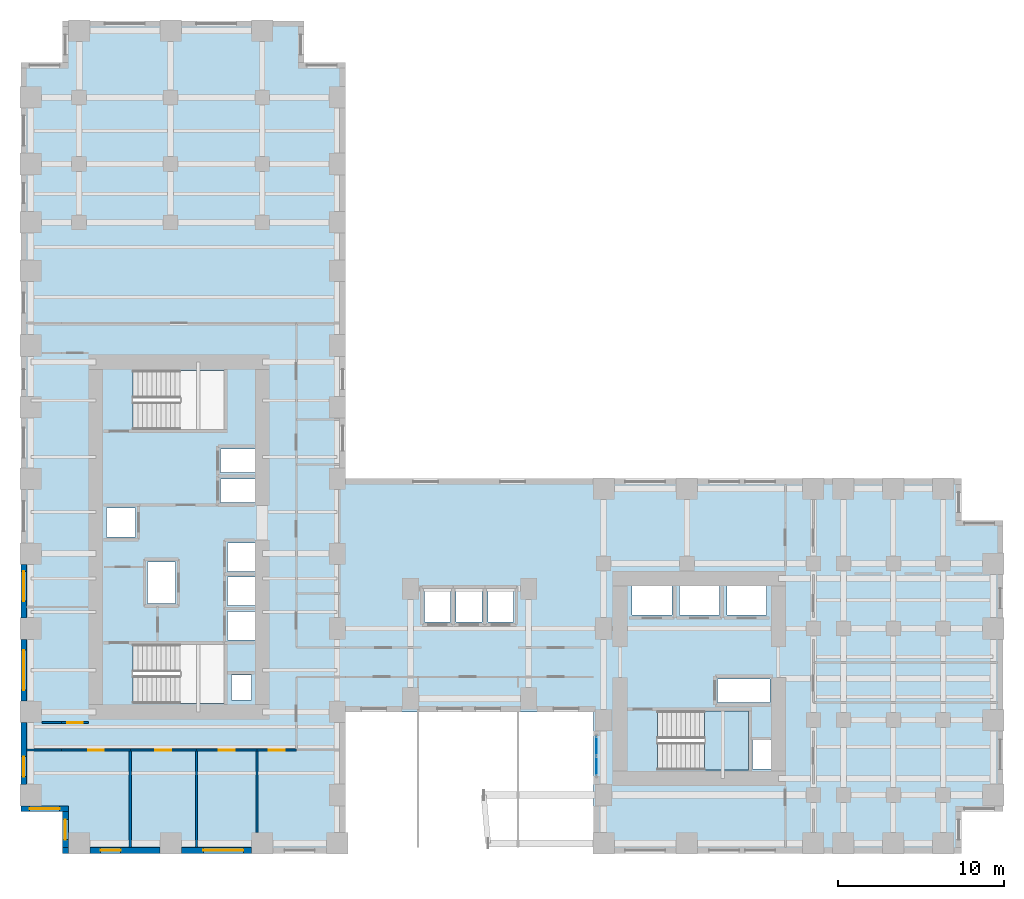
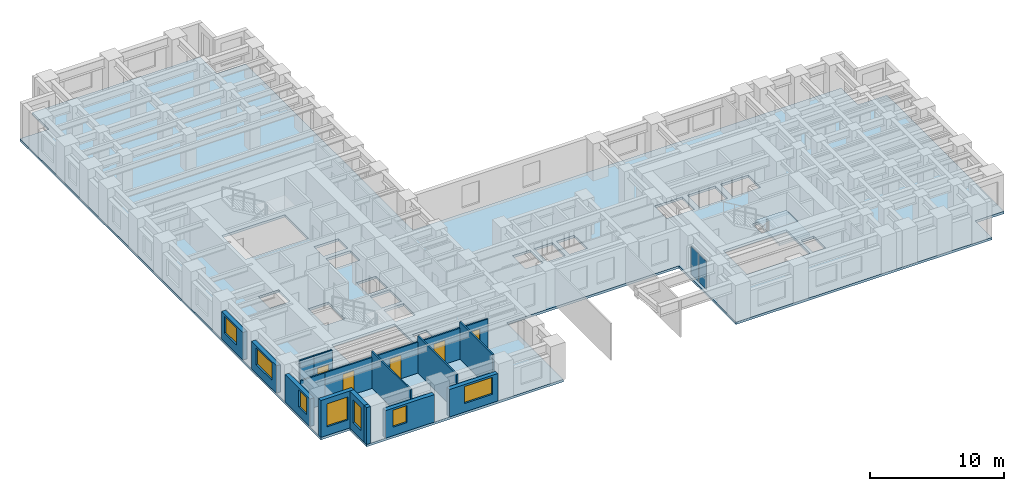
# One storey, part 6 of 14: 18 walls, 7 windows, 5 doors, 2 plates, 2 slabs, 12 openings, 2 elements without a shape of their own.
"""IFC4 building model written with IfcOpenShell, lengths in metres."""

from ifc_helpers import new_model, si_unit, direction, frame, frame_2d, origin, origin_2d, place, context, subcontext, project, spatial, polyline, rectangle, outline, extrude, source, transform, mapped, material, layer, layer_set, type_object, element, fill, aggregate, save


model = new_model("IFC4")

# Units and contexts
model_context = context("Model", 3, precision=1e-05, world=origin(), true_north=direction((0.0, 1.0)))
body_context = subcontext(model_context, "Body", "Model", "MODEL_VIEW")
ifc_project = project(units=[si_unit("LENGTHUNIT", "METRE"), si_unit("AREAUNIT", "SQUARE_METRE"), si_unit("VOLUMEUNIT", "CUBIC_METRE"), si_unit("PLANEANGLEUNIT", "RADIAN"), si_unit("MASSUNIT", "GRAM", prefix="KILO")], contexts=[model_context])

# Site, building, storey
site_placement = place(None, origin())
site = spatial("IfcSite", under=ifc_project, at=site_placement, CompositionType="ELEMENT")
building_placement = place(site_placement, origin())
building = spatial("IfcBuilding", under=site, at=building_placement, Name="Kharzan Plaza Tower", CompositionType="ELEMENT")
storey_placement = place(building_placement, frame((0.0, 0.0, 29.699951171875)))
storey = spatial("IfcBuildingStorey", under=building, at=storey_placement, Name="L07", CompositionType="ELEMENT", Elevation=29.699951171875)

# Slab
ifc_material_1 = material(Name="Concrete C40/50", Category="concrete")
ifc_layer_1 = layer(ifc_material_1, 0.219970703125)
ifc_layer_set_1 = layer_set([ifc_layer_1], Name="Concrete C40/50")
slab_type_1 = type_object("IfcSlabType", Name="SL-FLOOR-220", PredefinedType="FLOOR", material=ifc_layer_set_1)
slab_1_placement = place(storey_placement, frame((0.0, 0.0, -0.219970703125)))
element("IfcSlab", 1, at=slab_1_placement, inside=storey, type_object=slab_type_1, Name="L07 Composite Structural Floor Slab 220 mm", PredefinedType="FLOOR", context=body_context, shape_type="SweptSolid", body=[
    extrude(outline(polyline([(34.39990234375, 22.5), (19.5, 22.5), (19.5, 47.5), (17.0, 47.5), (17.0, 50.0), (2.5, 50.0), (2.5, 47.5), (0.0, 47.5), (0.0, 2.5), (2.5, 2.5), (2.5, 0.0), (19.5, 0.0), (19.5, 8.5), (34.39990234375, 8.5), (34.39990234375, 0.0), (56.5, 0.0), (56.5, 2.5), (59.0, 2.5), (59.0, 20.0), (56.5, 20.0), (56.5, 22.5), (34.39990234375, 22.5)]), holes=[polyline([(13.85009765625, 9.199951171875), (13.85009765625, 10.699951171875), (12.64990234375, 10.699951171875), (12.64990234375, 9.199951171875), (13.85009765625, 9.199951171875)]), polyline([(12.199951171875, 9.0), (12.199951171875, 12.550048828125), (6.75, 12.550048828125), (6.75, 9.0), (12.199951171875, 9.0)]), polyline([(14.10009765625, 12.800048828125), (14.10009765625, 14.530029296875), (12.39990234375, 14.530029296875), (12.39990234375, 12.800048828125), (14.10009765625, 12.800048828125)]), polyline([(14.10009765625, 14.8701171875), (14.10009765625, 16.60009765625), (12.39990234375, 16.60009765625), (12.39990234375, 14.8701171875), (14.10009765625, 14.8701171875)]), polyline([(9.300048828125, 15.0), (9.300048828125, 17.5), (7.60009765625, 17.5), (7.60009765625, 15.0), (9.300048828125, 15.0)]), polyline([(14.10009765625, 16.93994140625), (14.10009765625, 18.64990234375), (12.39990234375, 18.64990234375), (12.39990234375, 16.93994140625), (14.10009765625, 16.93994140625)]), polyline([(6.89990234375, 19.010009765625), (6.89990234375, 20.72998046875), (5.14990234375, 20.72998046875), (5.14990234375, 19.010009765625), (6.89990234375, 19.010009765625)]), polyline([(12.0, 21.070068359375), (14.10009765625, 21.070068359375), (14.10009765625, 22.489990234375), (12.0, 22.489990234375), (12.0, 21.070068359375)]), polyline([(12.0, 22.8701171875), (14.10009765625, 22.8701171875), (14.10009765625, 24.2900390625), (12.0, 24.2900390625), (12.0, 22.8701171875)]), polyline([(12.199951171875, 25.449951171875), (12.199951171875, 29.0), (6.75, 29.0), (6.75, 25.449951171875), (12.199951171875, 25.449951171875)]), polyline([(45.050048828125, 5.050048828125), (45.050048828125, 6.800048828125), (43.949951171875, 6.800048828125), (43.949951171875, 5.050048828125), (45.050048828125, 5.050048828125)]), polyline([(43.699951171875, 5.0), (43.699951171875, 8.550048828125), (38.25, 8.550048828125), (38.25, 5.0), (43.699951171875, 5.0)]), polyline([(41.85009765625, 9.070068359375), (45.0, 9.070068359375), (45.0, 10.469970703125), (41.85009765625, 10.469970703125), (41.85009765625, 9.070068359375)]), polyline([(24.25, 13.89990234375), (25.800048828125, 13.89990234375), (25.800048828125, 15.85009765625), (24.25, 15.85009765625), (24.25, 13.89990234375)]), polyline([(27.699951171875, 13.89990234375), (27.699951171875, 15.85009765625), (26.14990234375, 15.85009765625), (26.14990234375, 13.89990234375), (27.699951171875, 13.89990234375)]), polyline([(29.60009765625, 13.89990234375), (29.60009765625, 15.85009765625), (28.050048828125, 15.85009765625), (28.050048828125, 13.89990234375), (29.60009765625, 13.89990234375)]), polyline([(39.10009765625, 14.300048828125), (39.10009765625, 16.14990234375), (36.699951171875, 16.14990234375), (36.699951171875, 14.300048828125), (39.10009765625, 14.300048828125)]), polyline([(39.550048828125, 14.300048828125), (41.949951171875, 14.300048828125), (41.949951171875, 16.14990234375), (39.550048828125, 16.14990234375), (39.550048828125, 14.300048828125)]), polyline([(42.39990234375, 14.300048828125), (44.800048828125, 14.300048828125), (44.800048828125, 16.14990234375), (42.39990234375, 16.14990234375), (42.39990234375, 14.300048828125)])]), origin(), (0.0, 0.0, 1.0), 0.219970703125),
])

# Stair, slab
stair_type = type_object("IfcStairType", Name="STR-ST-3", PredefinedType="HALF_TURN_STAIR", material=ifc_material_1)
stair_placement = place(storey_placement, origin())
stair = element("IfcStair", 2, at=stair_placement, inside=storey, type_object=stair_type, Name="L07 Protected Exit Stair ST-3", PredefinedType="HALF_TURN_STAIR")
ifc_layer_2 = layer(ifc_material_1, 0.219970703125)
ifc_layer_set_2 = layer_set([ifc_layer_2], Name="Concrete C40/50")
slab_type_2 = type_object("IfcSlabType", Name="SL-LANDING-220", PredefinedType="LANDING", material=ifc_layer_set_2)
slab_2_placement = place(storey_placement, frame((0.0, 0.0, 1.60009765625)))
slab_2 = element("IfcSlab", 3, at=slab_2_placement, type_object=slab_type_2, Name="ST-3 landing 1", PredefinedType="LANDING", context=body_context, shape_type="SweptSolid", body=[
    extrude(outline(polyline([(41.050048828125, 5.0), (43.699951171875, 5.0), (43.699951171875, 8.550048828125), (41.050048828125, 8.550048828125), (41.050048828125, 5.0)])), origin(), (0.0, 0.0, 1.0), 0.199951171875),
])
aggregate(stair, [slab_2])

# Curtain wall, plates
ifc_material_2 = material(Name="Unitised Bronze-Anodized Aluminium and Low-E Glass", Category="aluminium")
ifc_layer_3 = layer(ifc_material_2, 0.199951171875)
ifc_layer_set_3 = layer_set([ifc_layer_3], Name="Unitised Bronze-Anodized Aluminium and Low-E Glass")
curtain_wall_type = type_object("IfcCurtainWallType", Name="CW-SLOT-3", PredefinedType="NOTDEFINED", material=ifc_layer_set_3)
curtain_wall_placement = place(storey_placement, origin())
curtain_wall = element("IfcCurtainWall", 4, at=curtain_wall_placement, inside=storey, type_object=curtain_wall_type, Name="L07 East Slot Recessed Spine Curtain Wall", PredefinedType="NOTDEFINED")
ifc_material_3 = material(Name="Dark Solar-Control Double Glazing", Category="glass")
ifc_layer_4 = layer(ifc_material_3, 0.031982421875)
ifc_layer_set_4 = layer_set([ifc_layer_4], Name="Dark Solar-Control Double Glazing")
plate_type = type_object("IfcPlateType", Name="PLT-CW-GLASS", PredefinedType="CURTAIN_PANEL", material=ifc_layer_set_4)
shared_shape_1 = source(origin(), body_context, "Body", "SweptSolid", [
    extrude(rectangle(XDim=1.080078125, YDim=0.031982421875, at=origin_2d()), origin(), (0.0, 0.0, 1.0), 2.5400390625),
])
plate_1_placement = place(storey_placement, frame((34.580078125, 5.25, 0.080078125), z_axis=(0.0, 0.0, 1.0), x_axis=(0.0, 1.0, 0.0)))
plate_1 = element("IfcPlate", 5, at=plate_1_placement, type_object=plate_type, Name="L07 Curtain-Wall Glazed Panel 00", PredefinedType="CURTAIN_PANEL", context=body_context, shape_type="MappedRepresentation", body=[
    mapped(shared_shape_1, transform((0.0, 0.0, 0.0), x_axis=(1.0, 0.0, 0.0), y_axis=(0.0, 1.0, 0.0), z_axis=(0.0, 0.0, 1.0))),
])
plate_2_placement = place(storey_placement, frame((34.580078125, 6.449951171875, 0.080078125), z_axis=(0.0, 0.0, 1.0), x_axis=(0.0, 1.0, 0.0)))
plate_2 = element("IfcPlate", 6, at=plate_2_placement, type_object=plate_type, Name="L07 Curtain-Wall Glazed Panel 01", PredefinedType="CURTAIN_PANEL", context=body_context, shape_type="MappedRepresentation", body=[
    mapped(shared_shape_1, transform((0.0, 0.0, 0.0), x_axis=(1.0, 0.0, 0.0), y_axis=(0.0, 1.0, 0.0), z_axis=(0.0, 0.0, 1.0))),
])
aggregate(curtain_wall, [plate_1, plate_2])

# Wall, opening, window
ifc_layer_5 = layer(ifc_material_1, 0.35009765625)
ifc_layer_set_5 = layer_set([ifc_layer_5], Name="Concrete C40/50")
wall_type_1 = type_object("IfcWallType", Name="WL-EXT-MAS-Z1", PredefinedType="SOLIDWALL", material=ifc_layer_set_5)
wall_1_placement = place(storey_placement, frame((0.175048828125, 17.35205078125, 0.0), z_axis=(0.0, 0.0, 1.0), x_axis=(0.0, -1.0, 0.0)))
wall_1 = element("IfcWall", 7, at=wall_1_placement, inside=storey, type_object=wall_type_1, Name="L07 Masonry-Frame Exterior Wall 17", PredefinedType="SOLIDWALL", context=body_context, shape_type="SweptSolid", body=[
    extrude(rectangle(XDim=3.2041015625, YDim=0.35009765625, at=frame_2d((1.60205078125, 0.0))), origin(), (0.0, 0.0, 1.0), 2.510009765625),
])
opening_1_placement = place(wall_1_placement, frame((0.410888671875, 0.0, 0.780029296875)))
opening_1 = element("IfcOpeningElement", 8, at=opening_1_placement, cuts=wall_1, Name="Opening W1", PredefinedType="OPENING", context=body_context, shape_type="SweptSolid", body=[
    extrude(rectangle(XDim=1.800048828125, YDim=1.550048828125, at=frame_2d((0.89990234375, 0.77490234375))), frame((0.0, 0.18505859375, 0.0), z_axis=(0.0, -1.0, 0.0), x_axis=(1.0, 0.0, 0.0)), (0.0, 0.0, 1.0), 0.3701171875),
])
ifc_material_4 = material(Name="Low-E Double Glazing", Category="glass")
window_type_1 = type_object("IfcWindowType", Name="WN-REC-1800x2100", PartitioningType="SINGLE_PANEL", PredefinedType="WINDOW", material=ifc_material_4)
shared_shape_2 = source(origin(), body_context, "Body", "SweptSolid", [
    extrude(rectangle(XDim=1.800048828125, YDim=1.550048828125, at=frame_2d((0.89990234375, 0.77490234375))), frame((0.0, 0.030029296875, 0.0), z_axis=(0.0, -1.0, 0.0), x_axis=(1.0, 0.0, 0.0)), (0.0, 0.0, 1.0), 0.06005859375),
])
window_1_placement = place(opening_1_placement, origin())
window_1 = element("IfcWindow", 9, at=window_1_placement, inside=storey, type_object=window_type_1, Name="L07 Recessed Solar-Control Window 17-1", OverallHeight=1.550048828125, OverallWidth=1.800048828125, PartitioningType="SINGLE_PANEL", PredefinedType="WINDOW", context=body_context, shape_type="MappedRepresentation", body=[
    mapped(shared_shape_2, transform((0.0, 0.0, 0.0), x_axis=(1.0, 0.0, 0.0), y_axis=(0.0, 1.0, 0.0), z_axis=(0.0, 0.0, 1.0))),
])
fill(opening_1, window_1)

wall_2_placement = place(storey_placement, frame((0.175048828125, 12.85205078125, 0.0), z_axis=(0.0, 0.0, 1.0), x_axis=(0.0, -1.0, 0.0)))
wall_2 = element("IfcWall", 10, at=wall_2_placement, inside=storey, type_object=wall_type_1, Name="L07 Masonry-Frame Exterior Wall 18", PredefinedType="SOLIDWALL", context=body_context, shape_type="SweptSolid", body=[
    extrude(rectangle(XDim=3.7041015625, YDim=0.35009765625, at=frame_2d((1.85205078125, 0.0))), origin(), (0.0, 0.0, 1.0), 2.510009765625),
])
opening_2_placement = place(wall_2_placement, frame((0.652099609375, 0.0, 0.780029296875)))
opening_2 = element("IfcOpeningElement", 11, at=opening_2_placement, cuts=wall_2, Name="Opening W2", PredefinedType="OPENING", context=body_context, shape_type="SweptSolid", body=[
    extrude(rectangle(XDim=2.39990234375, YDim=1.550048828125, at=frame_2d((1.199951171875, 0.77490234375))), frame((0.0, 0.18505859375, 0.0), z_axis=(0.0, -1.0, 0.0), x_axis=(1.0, 0.0, 0.0)), (0.0, 0.0, 1.0), 0.3701171875),
])
window_type_2 = type_object("IfcWindowType", Name="WN-REC-2400x2100", PartitioningType="SINGLE_PANEL", PredefinedType="WINDOW", material=ifc_material_4)
shared_shape_3 = source(origin(), body_context, "Body", "SweptSolid", [
    extrude(rectangle(XDim=2.39990234375, YDim=1.550048828125, at=frame_2d((1.199951171875, 0.77490234375))), frame((0.0, 0.030029296875, 0.0), z_axis=(0.0, -1.0, 0.0), x_axis=(1.0, 0.0, 0.0)), (0.0, 0.0, 1.0), 0.06005859375),
])
window_2_placement = place(opening_2_placement, origin())
window_2 = element("IfcWindow", 12, at=window_2_placement, inside=storey, type_object=window_type_2, Name="L07 Wide Recessed Solar-Control Window 18-1", OverallHeight=1.550048828125, OverallWidth=2.39990234375, PartitioningType="SINGLE_PANEL", PredefinedType="WINDOW", context=body_context, shape_type="MappedRepresentation", body=[
    mapped(shared_shape_3, transform((0.0, 0.0, 0.0), x_axis=(1.0, 0.0, 0.0), y_axis=(0.0, 1.0, 0.0), z_axis=(0.0, 0.0, 1.0))),
])
fill(opening_2, window_2)

wall_3_placement = place(storey_placement, frame((0.175048828125, 7.85205078125, 0.0), z_axis=(0.0, 0.0, 1.0), x_axis=(0.0, -1.0, 0.0)))
wall_3 = element("IfcWall", 13, at=wall_3_placement, inside=storey, type_object=wall_type_1, Name="L07 Masonry-Frame Exterior Wall 19", PredefinedType="SOLIDWALL", context=body_context, shape_type="SweptSolid", body=[
    extrude(rectangle(XDim=3.7041015625, YDim=0.35009765625, at=frame_2d((1.85205078125, 0.0))), origin(), (0.0, 0.0, 1.0), 2.510009765625),
])
opening_3_placement = place(wall_3_placement, frame((2.04296875, 0.0, 0.780029296875)))
opening_3 = element("IfcOpeningElement", 14, at=opening_3_placement, cuts=wall_3, Name="Opening W3", PredefinedType="OPENING", context=body_context, shape_type="SweptSolid", body=[
    extrude(rectangle(XDim=1.199951171875, YDim=1.550048828125, at=frame_2d((0.60009765625, 0.77490234375))), frame((0.0, 0.18505859375, 0.0), z_axis=(0.0, -1.0, 0.0), x_axis=(1.0, 0.0, 0.0)), (0.0, 0.0, 1.0), 0.3701171875),
])
window_type_3 = type_object("IfcWindowType", Name="WN-REC-1200x2100", PartitioningType="SINGLE_PANEL", PredefinedType="WINDOW", material=ifc_material_4)
shared_shape_4 = source(origin(), body_context, "Body", "SweptSolid", [
    extrude(rectangle(XDim=1.199951171875, YDim=1.550048828125, at=frame_2d((0.60009765625, 0.77490234375))), frame((0.0, 0.030029296875, 0.0), z_axis=(0.0, -1.0, 0.0), x_axis=(1.0, 0.0, 0.0)), (0.0, 0.0, 1.0), 0.06005859375),
])
window_3_placement = place(opening_3_placement, origin())
window_3 = element("IfcWindow", 15, at=window_3_placement, inside=storey, type_object=window_type_3, Name="L07 Recessed Solar-Control Window 19-1", OverallHeight=1.550048828125, OverallWidth=1.199951171875, PartitioningType="SINGLE_PANEL", PredefinedType="WINDOW", context=body_context, shape_type="MappedRepresentation", body=[
    mapped(shared_shape_4, transform((0.0, 0.0, 0.0), x_axis=(1.0, 0.0, 0.0), y_axis=(0.0, 1.0, 0.0), z_axis=(0.0, 0.0, 1.0))),
])
fill(opening_3, window_3)

wall_4_placement = place(storey_placement, frame((0.0, 2.675048828125, 0.0), z_axis=(0.0, 0.0, 1.0), x_axis=(1.0, 0.0, 0.0)))
wall_4 = element("IfcWall", 16, at=wall_4_placement, inside=storey, type_object=wall_type_1, Name="L07 Masonry-Frame Exterior Wall 20", PredefinedType="SOLIDWALL", context=body_context, shape_type="SweptSolid", body=[
    extrude(rectangle(XDim=2.85009765625, YDim=0.35009765625, at=frame_2d((1.425048828125, 0.0))), origin(), (0.0, 0.0, 1.0), 3.364990234375),
])
opening_4_placement = place(wall_4_placement, frame((0.52490234375, 0.0, 0.780029296875)))
opening_4 = element("IfcOpeningElement", 17, at=opening_4_placement, cuts=wall_4, Name="Opening W1", PredefinedType="OPENING", context=body_context, shape_type="SweptSolid", body=[
    extrude(rectangle(XDim=1.800048828125, YDim=2.10009765625, at=frame_2d((0.89990234375, 1.050048828125))), frame((0.0, 0.18505859375, 0.0), z_axis=(0.0, -1.0, 0.0), x_axis=(1.0, 0.0, 0.0)), (0.0, 0.0, 1.0), 0.3701171875),
])
shared_shape_5 = source(origin(), body_context, "Body", "SweptSolid", [
    extrude(rectangle(XDim=1.800048828125, YDim=2.10009765625, at=frame_2d((0.89990234375, 1.050048828125))), frame((0.0, 0.030029296875, 0.0), z_axis=(0.0, -1.0, 0.0), x_axis=(1.0, 0.0, 0.0)), (0.0, 0.0, 1.0), 0.06005859375),
])
window_4_placement = place(opening_4_placement, origin())
window_4 = element("IfcWindow", 18, at=window_4_placement, inside=storey, type_object=window_type_1, Name="L07 Recessed Solar-Control Window 20-1", OverallHeight=2.10009765625, OverallWidth=1.800048828125, PartitioningType="SINGLE_PANEL", PredefinedType="WINDOW", context=body_context, shape_type="MappedRepresentation", body=[
    mapped(shared_shape_5, transform((0.0, 0.0, 0.0), x_axis=(1.0, 0.0, 0.0), y_axis=(0.0, 1.0, 0.0), z_axis=(0.0, 0.0, 1.0))),
])
fill(opening_4, window_4)

wall_5_placement = place(storey_placement, frame((2.675048828125, 2.501953125, 0.0), z_axis=(0.0, 0.0, 1.0), x_axis=(0.0, -1.0, 0.0)))
wall_5 = element("IfcWall", 19, at=wall_5_placement, inside=storey, type_object=wall_type_1, Name="L07 Masonry-Frame Exterior Wall 21", PredefinedType="SOLIDWALL", context=body_context, shape_type="SweptSolid", body=[
    extrude(rectangle(XDim=2.154052734375, YDim=0.35009765625, at=frame_2d((1.0771484375, 0.0))), origin(), (0.0, 0.0, 1.0), 3.364990234375),
])
opening_5_placement = place(wall_5_placement, frame((0.47705078125, 0.0, 0.780029296875)))
opening_5 = element("IfcOpeningElement", 20, at=opening_5_placement, cuts=wall_5, Name="Opening W3", PredefinedType="OPENING", context=body_context, shape_type="SweptSolid", body=[
    extrude(rectangle(XDim=1.199951171875, YDim=2.10009765625, at=frame_2d((0.60009765625, 1.050048828125))), frame((0.0, 0.18505859375, 0.0), z_axis=(0.0, -1.0, 0.0), x_axis=(1.0, 0.0, 0.0)), (0.0, 0.0, 1.0), 0.3701171875),
])
shared_shape_6 = source(origin(), body_context, "Body", "SweptSolid", [
    extrude(rectangle(XDim=1.199951171875, YDim=2.10009765625, at=frame_2d((0.60009765625, 1.050048828125))), frame((0.0, 0.030029296875, 0.0), z_axis=(0.0, -1.0, 0.0), x_axis=(1.0, 0.0, 0.0)), (0.0, 0.0, 1.0), 0.06005859375),
])
window_5_placement = place(opening_5_placement, origin())
window_5 = element("IfcWindow", 21, at=window_5_placement, inside=storey, type_object=window_type_3, Name="L07 Recessed Solar-Control Window 21-1", OverallHeight=2.10009765625, OverallWidth=1.199951171875, PartitioningType="SINGLE_PANEL", PredefinedType="WINDOW", context=body_context, shape_type="MappedRepresentation", body=[
    mapped(shared_shape_6, transform((0.0, 0.0, 0.0), x_axis=(1.0, 0.0, 0.0), y_axis=(0.0, 1.0, 0.0), z_axis=(0.0, 0.0, 1.0))),
])
fill(opening_5, window_5)

wall_6_placement = place(storey_placement, frame((4.14794921875, 0.175048828125, 0.0), z_axis=(0.0, 0.0, 1.0), x_axis=(1.0, 0.0, 0.0)))
wall_6 = element("IfcWall", 22, at=wall_6_placement, inside=storey, type_object=wall_type_1, Name="L07 Masonry-Frame Exterior Wall 23", PredefinedType="SOLIDWALL", context=body_context, shape_type="SweptSolid", body=[
    extrude(rectangle(XDim=4.2041015625, YDim=0.35009765625, at=frame_2d((2.10205078125, 0.0))), origin(), (0.0, 0.0, 1.0), 2.510009765625),
])
opening_6_placement = place(wall_6_placement, frame((0.64697265625, 0.0, 0.780029296875)))
opening_6 = element("IfcOpeningElement", 23, at=opening_6_placement, cuts=wall_6, Name="Opening W3", PredefinedType="OPENING", context=body_context, shape_type="SweptSolid", body=[
    extrude(rectangle(XDim=1.199951171875, YDim=1.550048828125, at=frame_2d((0.60009765625, 0.77490234375))), frame((0.0, 0.18505859375, 0.0), z_axis=(0.0, -1.0, 0.0), x_axis=(1.0, 0.0, 0.0)), (0.0, 0.0, 1.0), 0.3701171875),
])
window_6_placement = place(opening_6_placement, origin())
window_6 = element("IfcWindow", 24, at=window_6_placement, inside=storey, type_object=window_type_3, Name="L07 Recessed Solar-Control Window 23-1", OverallHeight=1.550048828125, OverallWidth=1.199951171875, PartitioningType="SINGLE_PANEL", PredefinedType="WINDOW", context=body_context, shape_type="MappedRepresentation", body=[
    mapped(shared_shape_4, transform((0.0, 0.0, 0.0), x_axis=(1.0, 0.0, 0.0), y_axis=(0.0, 1.0, 0.0), z_axis=(0.0, 0.0, 1.0))),
])
fill(opening_6, window_6)

wall_7_placement = place(storey_placement, frame((9.64794921875, 0.175048828125, 0.0), z_axis=(0.0, 0.0, 1.0), x_axis=(1.0, 0.0, 0.0)))
wall_7 = element("IfcWall", 25, at=wall_7_placement, inside=storey, type_object=wall_type_1, Name="L07 Masonry-Frame Exterior Wall 24", PredefinedType="SOLIDWALL", context=body_context, shape_type="SweptSolid", body=[
    extrude(rectangle(XDim=4.2041015625, YDim=0.35009765625, at=frame_2d((2.10205078125, 0.0))), origin(), (0.0, 0.0, 1.0), 2.510009765625),
])
opening_7_placement = place(wall_7_placement, frame((1.31494140625, 0.0, 0.780029296875)))
opening_7 = element("IfcOpeningElement", 26, at=opening_7_placement, cuts=wall_7, Name="Opening W2", PredefinedType="OPENING", context=body_context, shape_type="SweptSolid", body=[
    extrude(rectangle(XDim=2.39990234375, YDim=1.550048828125, at=frame_2d((1.199951171875, 0.77490234375))), frame((0.0, 0.18505859375, 0.0), z_axis=(0.0, -1.0, 0.0), x_axis=(1.0, 0.0, 0.0)), (0.0, 0.0, 1.0), 0.3701171875),
])
window_7_placement = place(opening_7_placement, origin())
window_7 = element("IfcWindow", 27, at=window_7_placement, inside=storey, type_object=window_type_2, Name="L07 Wide Recessed Solar-Control Window 24-1", OverallHeight=1.550048828125, OverallWidth=2.39990234375, PartitioningType="SINGLE_PANEL", PredefinedType="WINDOW", context=body_context, shape_type="MappedRepresentation", body=[
    mapped(shared_shape_3, transform((0.0, 0.0, 0.0), x_axis=(1.0, 0.0, 0.0), y_axis=(0.0, 1.0, 0.0), z_axis=(0.0, 0.0, 1.0))),
])
fill(opening_7, window_7)

# Wall, opening, door
ifc_material_5 = material(Name="Fire-Rated Gypsum Board Partition", Category="gypsum")
ifc_layer_6 = layer(ifc_material_5, 0.125)
ifc_layer_set_6 = layer_set([ifc_layer_6], Name="Fire-Rated Gypsum Board Partition")
wall_type_2 = type_object("IfcWallType", Name="WL-INT-PART-125", PredefinedType="PARTITIONING", material=ifc_layer_set_6)
wall_8_placement = place(storey_placement, frame((2.449951171875, 7.85009765625, 0.0), z_axis=(0.0, 0.0, 1.0), x_axis=(1.0, 0.0, 0.0)))
wall_8 = element("IfcWall", 28, at=wall_8_placement, inside=storey, type_object=wall_type_2, Name="L07 Interior Partition SH-RWSD", PredefinedType="PARTITIONING", context=body_context, shape_type="SweptSolid", body=[
    extrude(rectangle(XDim=1.60009765625, YDim=0.125, at=frame_2d((0.800048828125, 0.0))), origin(), (0.0, 0.0, 1.0), 3.364990234375),
])
opening_8_placement = place(wall_8_placement, frame((0.324951171875, 0.0, 0.0)))
opening_8 = element("IfcOpeningElement", 29, at=opening_8_placement, cuts=wall_8, Name="Opening OD1", PredefinedType="OPENING", context=body_context, shape_type="SweptSolid", body=[
    extrude(rectangle(XDim=0.949951171875, YDim=2.14990234375, at=frame_2d((0.47509765625, 1.074951171875))), frame((0.0, 0.072509765625, 0.0), z_axis=(0.0, -1.0, 0.0), x_axis=(1.0, 0.0, 0.0)), (0.0, 0.0, 1.0), 0.14501953125),
])
ifc_material_6 = material(Name="Acoustic Solid-Core Stained Oak", Category="timber")
door_type = type_object("IfcDoorType", Name="DR-OFF-SINGLE", OperationType="NOTDEFINED", PredefinedType="DOOR", material=ifc_material_6)
shared_shape_7 = source(origin(), body_context, "Body", "SweptSolid", [
    extrude(rectangle(XDim=0.949951171875, YDim=2.14990234375, at=frame_2d((0.47509765625, 1.074951171875))), frame((0.0, 0.02490234375, 0.0), z_axis=(0.0, -1.0, 0.0), x_axis=(1.0, 0.0, 0.0)), (0.0, 0.0, 1.0), 0.050048828125),
])
door_1_placement = place(opening_8_placement, origin())
door_1 = element("IfcDoor", 30, at=door_1_placement, inside=storey, type_object=door_type, Name="L07 West Office 1 Door", OperationType="SINGLE_SWING_LEFT", OverallHeight=2.14990234375, OverallWidth=0.949951171875, PredefinedType="DOOR", context=body_context, shape_type="MappedRepresentation", body=[
    mapped(shared_shape_7, transform((0.0, 0.0, 0.0), x_axis=(1.0, 0.0, 0.0), y_axis=(0.0, 1.0, 0.0), z_axis=(0.0, 0.0, 1.0))),
])
fill(opening_8, door_1)

wall_9_placement = place(storey_placement, frame((2.449951171875, 6.199951171875, 0.0), z_axis=(0.0, 0.0, 1.0), x_axis=(1.0, 0.0, 0.0)))
wall_9 = element("IfcWall", 31, at=wall_9_placement, inside=storey, type_object=wall_type_2, Name="L07 Interior Partition SH-SS-1", PredefinedType="PARTITIONING", context=body_context, shape_type="SweptSolid", body=[
    extrude(rectangle(XDim=4.1220703125, YDim=0.125, at=frame_2d((2.06103515625, 0.0))), origin(), (0.0, 0.0, 1.0), 2.828125),
])
opening_9_placement = place(wall_9_placement, frame((1.5859375, 0.0, 0.0)))
opening_9 = element("IfcOpeningElement", 32, at=opening_9_placement, cuts=wall_9, Name="Opening OD1", PredefinedType="OPENING", context=body_context, shape_type="SweptSolid", body=[
    extrude(rectangle(XDim=0.949951171875, YDim=2.14990234375, at=frame_2d((0.47509765625, 1.074951171875))), frame((0.0, 0.072509765625, 0.0), z_axis=(0.0, -1.0, 0.0), x_axis=(1.0, 0.0, 0.0)), (0.0, 0.0, 1.0), 0.14501953125),
])
door_2_placement = place(opening_9_placement, origin())
door_2 = element("IfcDoor", 33, at=door_2_placement, inside=storey, type_object=door_type, Name="L07 Executive Tea Pantry Door", OperationType="SINGLE_SWING_LEFT", OverallHeight=2.14990234375, OverallWidth=0.949951171875, PredefinedType="DOOR", context=body_context, shape_type="MappedRepresentation", body=[
    mapped(shared_shape_7, transform((0.0, 0.0, 0.0), x_axis=(1.0, 0.0, 0.0), y_axis=(0.0, 1.0, 0.0), z_axis=(0.0, 0.0, 1.0))),
])
fill(opening_9, door_2)

wall_10_placement = place(storey_placement, frame((6.572021484375, 6.199951171875, 0.0), z_axis=(0.0, 0.0, 1.0), x_axis=(1.0, 0.0, 0.0)))
wall_10 = element("IfcWall", 34, at=wall_10_placement, inside=storey, type_object=wall_type_2, Name="L07 Interior Partition SH-SS-2", PredefinedType="PARTITIONING", context=body_context, shape_type="SweptSolid", body=[
    extrude(rectangle(XDim=3.971923828125, YDim=0.125, at=frame_2d((1.98583984375, 0.0))), origin(), (0.0, 0.0, 1.0), 2.828125),
])
opening_10_placement = place(wall_10_placement, frame((1.510986328125, 0.0, 0.0)))
opening_10 = element("IfcOpeningElement", 35, at=opening_10_placement, cuts=wall_10, Name="Opening OD1", PredefinedType="OPENING", context=body_context, shape_type="SweptSolid", body=[
    extrude(rectangle(XDim=0.949951171875, YDim=2.14990234375, at=frame_2d((0.47509765625, 1.074951171875))), frame((0.0, 0.072509765625, 0.0), z_axis=(0.0, -1.0, 0.0), x_axis=(1.0, 0.0, 0.0)), (0.0, 0.0, 1.0), 0.14501953125),
])
door_3_placement = place(opening_10_placement, origin())
door_3 = element("IfcDoor", 36, at=door_3_placement, inside=storey, type_object=door_type, Name="L07 Executive Tea Pantry Door", OperationType="SINGLE_SWING_RIGHT", OverallHeight=2.14990234375, OverallWidth=0.949951171875, PredefinedType="DOOR", context=body_context, shape_type="MappedRepresentation", body=[
    mapped(shared_shape_7, transform((0.0, 0.0, 0.0), x_axis=(1.0, 0.0, 0.0), y_axis=(0.0, 1.0, 0.0), z_axis=(0.0, 0.0, 1.0))),
])
fill(opening_10, door_3)

wall_11_placement = place(storey_placement, frame((10.5439453125, 6.199951171875, 0.0), z_axis=(0.0, 0.0, 1.0), x_axis=(1.0, 0.0, 0.0)))
wall_11 = element("IfcWall", 37, at=wall_11_placement, inside=storey, type_object=wall_type_2, Name="L07 Interior Partition SH-SS-3", PredefinedType="PARTITIONING", context=body_context, shape_type="SweptSolid", body=[
    extrude(rectangle(XDim=3.64111328125, YDim=0.125, at=frame_2d((1.820556640625, 0.0))), origin(), (0.0, 0.0, 1.0), 2.828125),
])
opening_11_placement = place(wall_11_placement, frame((1.345458984375, 0.0, 0.0)))
opening_11 = element("IfcOpeningElement", 38, at=opening_11_placement, cuts=wall_11, Name="Opening OD1", PredefinedType="OPENING", context=body_context, shape_type="SweptSolid", body=[
    extrude(rectangle(XDim=0.949951171875, YDim=2.14990234375, at=frame_2d((0.47509765625, 1.074951171875))), frame((0.0, 0.072509765625, 0.0), z_axis=(0.0, -1.0, 0.0), x_axis=(1.0, 0.0, 0.0)), (0.0, 0.0, 1.0), 0.14501953125),
])
door_4_placement = place(opening_11_placement, origin())
door_4 = element("IfcDoor", 39, at=door_4_placement, inside=storey, type_object=door_type, Name="L07 Strategy Briefing Room Door", OperationType="SINGLE_SWING_LEFT", OverallHeight=2.14990234375, OverallWidth=0.949951171875, PredefinedType="DOOR", context=body_context, shape_type="MappedRepresentation", body=[
    mapped(shared_shape_7, transform((0.0, 0.0, 0.0), x_axis=(1.0, 0.0, 0.0), y_axis=(0.0, 1.0, 0.0), z_axis=(0.0, 0.0, 1.0))),
])
fill(opening_11, door_4)

wall_12_placement = place(storey_placement, frame((14.18505859375, 6.199951171875, 0.0), z_axis=(0.0, 0.0, 1.0), x_axis=(1.0, 0.0, 0.0)))
wall_12 = element("IfcWall", 40, at=wall_12_placement, inside=storey, type_object=wall_type_2, Name="L07 Interior Partition SH-SS-4", PredefinedType="PARTITIONING", context=body_context, shape_type="SweptSolid", body=[
    extrude(rectangle(XDim=2.364990234375, YDim=0.125, at=frame_2d((1.1826171875, 0.0))), origin(), (0.0, 0.0, 1.0), 2.828125),
])
opening_12_placement = place(wall_12_placement, frame((0.70751953125, 0.0, 0.0)))
opening_12 = element("IfcOpeningElement", 41, at=opening_12_placement, cuts=wall_12, Name="Opening OD1", PredefinedType="OPENING", context=body_context, shape_type="SweptSolid", body=[
    extrude(rectangle(XDim=0.949951171875, YDim=2.14990234375, at=frame_2d((0.47509765625, 1.074951171875))), frame((0.0, 0.072509765625, 0.0), z_axis=(0.0, -1.0, 0.0), x_axis=(1.0, 0.0, 0.0)), (0.0, 0.0, 1.0), 0.14501953125),
])
door_5_placement = place(opening_12_placement, origin())
door_5 = element("IfcDoor", 42, at=door_5_placement, inside=storey, type_object=door_type, Name="L07 Executive Boardroom Door", OperationType="SINGLE_SWING_RIGHT", OverallHeight=2.14990234375, OverallWidth=0.949951171875, PredefinedType="DOOR", context=body_context, shape_type="MappedRepresentation", body=[
    mapped(shared_shape_7, transform((0.0, 0.0, 0.0), x_axis=(1.0, 0.0, 0.0), y_axis=(0.0, 1.0, 0.0), z_axis=(0.0, 0.0, 1.0))),
])
fill(opening_12, door_5)

# Walls
shared_shape_8 = source(origin(), body_context, "Body", "SweptSolid", [
    extrude(rectangle(XDim=0.35205078125, YDim=0.35009765625, at=frame_2d((0.176025390625, 0.0))), origin(), (0.0, 0.0, 1.0), 3.364990234375),
])
wall_13_placement = place(storey_placement, frame((2.5, 0.175048828125, 0.0), z_axis=(0.0, 0.0, 1.0), x_axis=(1.0, 0.0, 0.0)))
element("IfcWall", 43, at=wall_13_placement, inside=storey, type_object=wall_type_1, Name="L07 Masonry-Frame Exterior Wall 22", PredefinedType="SOLIDWALL", context=body_context, shape_type="MappedRepresentation", body=[
    mapped(shared_shape_8, transform((0.0, 0.0, 0.0), x_axis=(1.0, 0.0, 0.0), y_axis=(0.0, 1.0, 0.0), z_axis=(0.0, 0.0, 1.0))),
])
shared_shape_9 = source(origin(), body_context, "Body", "SweptSolid", [
    extrude(rectangle(XDim=1.18994140625, YDim=0.125, at=frame_2d((0.594970703125, 0.0))), origin(), (0.0, 0.0, 1.0), 3.364990234375),
])
wall_14_placement = place(storey_placement, frame((1.260009765625, 7.85009765625, 0.0), z_axis=(0.0, 0.0, 1.0), x_axis=(1.0, 0.0, 0.0)))
element("IfcWall", 44, at=wall_14_placement, inside=storey, type_object=wall_type_2, Name="L07 Interior Partition SH-RWS0", PredefinedType="PARTITIONING", context=body_context, shape_type="MappedRepresentation", body=[
    mapped(shared_shape_9, transform((0.0, 0.0, 0.0), x_axis=(1.0, 0.0, 0.0), y_axis=(0.0, 1.0, 0.0), z_axis=(0.0, 0.0, 1.0))),
])
shared_shape_10 = source(origin(), body_context, "Body", "SweptSolid", [
    extrude(rectangle(XDim=2.097900390625, YDim=0.125, at=frame_2d((1.048828125, 0.0))), origin(), (0.0, 0.0, 1.0), 2.828125),
])
wall_15_placement = place(storey_placement, frame((0.35205078125, 6.199951171875, 0.0), z_axis=(0.0, 0.0, 1.0), x_axis=(1.0, 0.0, 0.0)))
element("IfcWall", 45, at=wall_15_placement, inside=storey, type_object=wall_type_2, Name="L07 Interior Partition SH-SS-EXT", PredefinedType="PARTITIONING", context=body_context, shape_type="MappedRepresentation", body=[
    mapped(shared_shape_10, transform((0.0, 0.0, 0.0), x_axis=(1.0, 0.0, 0.0), y_axis=(0.0, 1.0, 0.0), z_axis=(0.0, 0.0, 1.0))),
])
shared_shape_11 = source(origin(), body_context, "Body", "SweptSolid", [
    extrude(rectangle(XDim=5.847900390625, YDim=0.125, at=frame_2d((2.923828125, 0.0))), origin(), (0.0, 0.0, 1.0), 3.364990234375),
])
for number, where, z_axis, x_axis, name in (
    (46, (6.572021484375, 0.35205078125, 0.0), (0.0, 0.0, 1.0), (0.0, 1.0, 0.0), "L07 Interior Partition SH-SV-1"),
    (47, (10.5439453125, 0.35205078125, 0.0), (0.0, 0.0, 1.0), (0.0, 1.0, 0.0), "L07 Interior Partition SH-SV-2"),
):
    element("IfcWall", number, at=place(storey_placement, frame(where, z_axis=z_axis, x_axis=x_axis)), inside=storey, type_object=wall_type_2, Name=name, PredefinedType="PARTITIONING", context=body_context, shape_type="MappedRepresentation", body=[
        mapped(shared_shape_11, transform((0.0, 0.0, 0.0), x_axis=(1.0, 0.0, 0.0), y_axis=(0.0, 1.0, 0.0), z_axis=(0.0, 0.0, 1.0))),
    ])
shared_shape_12 = source(origin(), body_context, "Body", "SweptSolid", [
    extrude(rectangle(XDim=4.93994140625, YDim=0.125, at=frame_2d((2.469970703125, 0.0))), origin(), (0.0, 0.0, 1.0), 3.364990234375),
])
wall_16_placement = place(storey_placement, frame((14.18505859375, 1.260009765625, 0.0), z_axis=(0.0, 0.0, 1.0), x_axis=(0.0, 1.0, 0.0)))
element("IfcWall", 48, at=wall_16_placement, inside=storey, type_object=wall_type_2, Name="L07 Interior Partition SH-SV-3", PredefinedType="PARTITIONING", context=body_context, shape_type="MappedRepresentation", body=[
    mapped(shared_shape_12, transform((0.0, 0.0, 0.0), x_axis=(1.0, 0.0, 0.0), y_axis=(0.0, 1.0, 0.0), z_axis=(0.0, 0.0, 1.0))),
])

save(model, "model.ifc")
